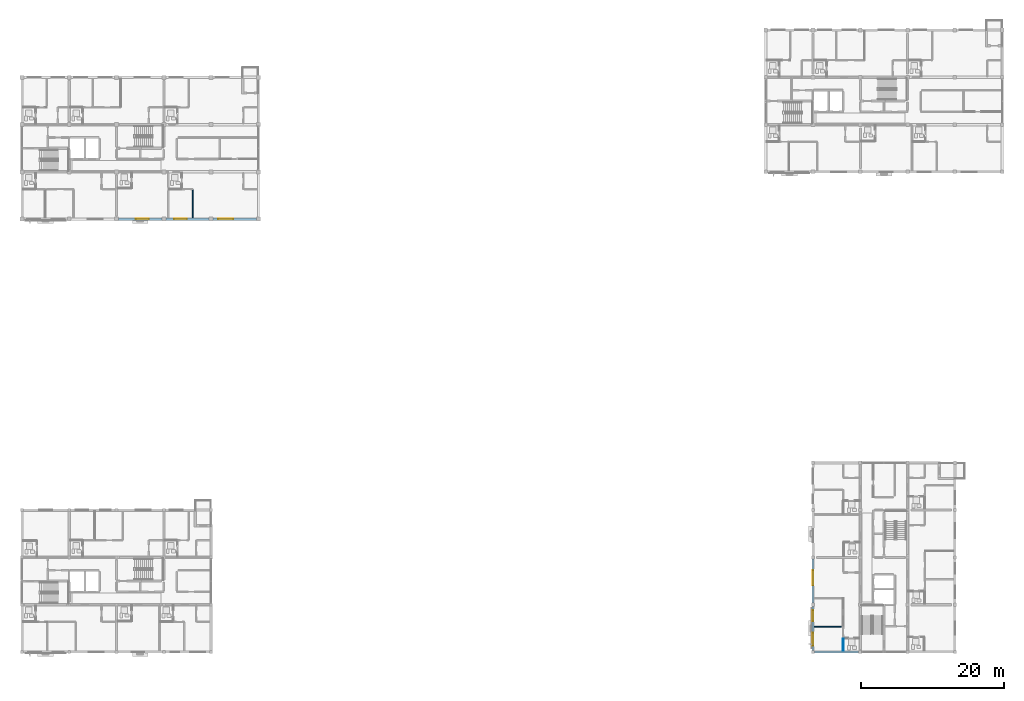
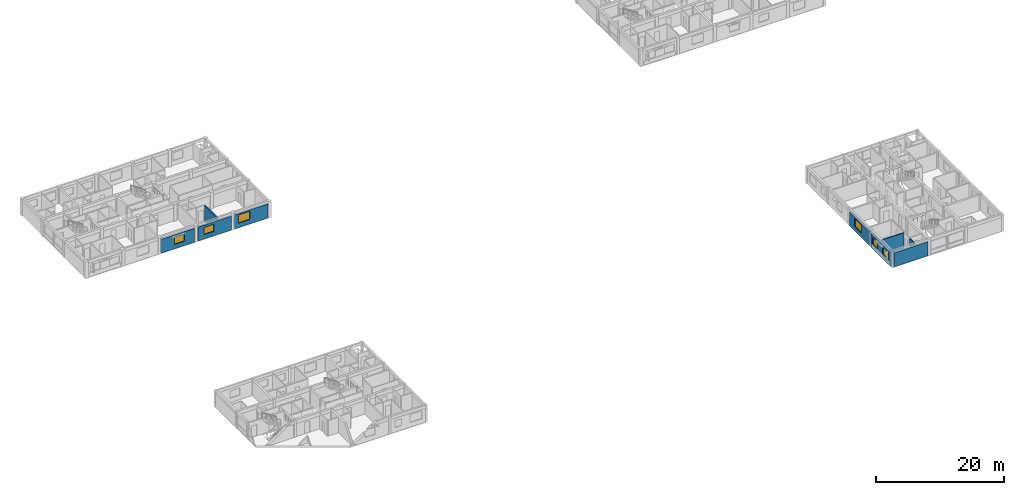
# One storey, part 30 of 53: 9 walls, 6 windows, 6 openings.
"""IFC4 building model written with IfcOpenShell, lengths in metres."""

from ifc_helpers import new_model, si_unit, direction, frame, frame_2d, origin, place, context, subcontext, project, spatial, rectangle, extrude, material, layer, layer_set, type_object, element, fill, save


model = new_model("IFC4")

# Units and contexts
model_context = context("Model", 3, precision=1e-05, world=origin(), true_north=direction((0.0, 1.0)))
body_context = subcontext(model_context, "Body", "Model", "MODEL_VIEW")
ifc_project = project(units=[si_unit("LENGTHUNIT", "METRE"), si_unit("AREAUNIT", "SQUARE_METRE"), si_unit("VOLUMEUNIT", "CUBIC_METRE"), si_unit("PLANEANGLEUNIT", "RADIAN"), si_unit("MASSUNIT", "GRAM", prefix="KILO")], contexts=[model_context])

# Site, building, storey
site_placement = place(None, origin())
site = spatial("IfcSite", under=ifc_project, at=site_placement, CompositionType="ELEMENT")
building_placement = place(site_placement, origin())
building = spatial("IfcBuilding", under=site, at=building_placement, Name="Kernevlak Ridge Housing Community", CompositionType="ELEMENT")
storey_placement = place(building_placement, frame((0.0, 0.0, 18.0)))
storey = spatial("IfcBuildingStorey", under=building, at=storey_placement, Name="L05", CompositionType="ELEMENT", Elevation=18.0)

# Wall, opening, window
ifc_material_1 = material(Name="Concrete block masonry M10", Category="masonry")
ifc_layer_1 = layer(ifc_material_1, 0.320068359375, Name="Concrete block masonry M10")
ifc_layer_set_1 = layer_set([ifc_layer_1], Name="Concrete block masonry M10")
wall_type_1 = type_object("IfcWallType", Name="EW-02", PredefinedType="STANDARD", material=ifc_layer_set_1)
wall_1_placement = place(storey_placement, frame((29.074951171875, 76.0, 0.0), z_axis=(0.0, 0.0, 1.0), x_axis=(1.0, 0.0, 0.0)))
wall_1 = element("IfcWall", 1, at=wall_1_placement, inside=storey, type_object=wall_type_1, Name="Exterior wall EW-02 L05 79", PredefinedType="STANDARD", context=body_context, shape_type="SweptSolid", body=[
    extrude(rectangle(XDim=6.050048828125, YDim=0.320068359375, at=frame_2d((3.02490234375, 0.0))), origin(), (0.0, 0.0, 1.0), 2.64990234375),
])
opening_1_placement = place(wall_1_placement, frame((2.425048828125, 0.0, 0.85009765625)))
opening_1 = element("IfcOpeningElement", 2, at=opening_1_placement, cuts=wall_1, Name="Opening WT-03", PredefinedType="OPENING", context=body_context, shape_type="SweptSolid", body=[
    extrude(rectangle(XDim=1.800048828125, YDim=1.35009765625, at=frame_2d((0.89990234375, 0.675048828125))), frame((0.0, 0.169921875, 0.0), z_axis=(0.0, -1.0, 0.0), x_axis=(1.0, 0.0, 0.0)), (0.0, 0.0, 1.0), 0.340087890625),
])
ifc_material_2 = material(Name="Aluminium EN AW-6060 anodised and laminated glass", Category="aluminium")
window_type_1 = type_object("IfcWindowType", Name="WT-03", PartitioningType="SINGLE_PANEL", PredefinedType="WINDOW", material=ifc_material_2)
window_1_placement = place(opening_1_placement, origin())
window_1 = element("IfcWindow", 3, at=window_1_placement, inside=storey, type_object=window_type_1, Name="Window WT-03 L05 60", OverallHeight=1.35009765625, OverallWidth=1.800048828125, PartitioningType="SINGLE_PANEL", PredefinedType="WINDOW", context=body_context, shape_type="SweptSolid", body=[
    extrude(rectangle(XDim=1.800048828125, YDim=1.35009765625, at=frame_2d((0.89990234375, 0.675048828125))), frame((0.0, 0.030029296875, 0.0), z_axis=(0.0, -1.0, 0.0), x_axis=(1.0, 0.0, 0.0)), (0.0, 0.0, 1.0), 0.06005859375),
])
fill(opening_1, window_1)

wall_2_placement = place(storey_placement, frame((35.675048828125, 76.0, 0.0), z_axis=(0.0, 0.0, 1.0), x_axis=(1.0, 0.0, 0.0)))
wall_2 = element("IfcWall", 4, at=wall_2_placement, inside=storey, type_object=wall_type_1, Name="Exterior wall EW-02 L05 80", PredefinedType="STANDARD", context=body_context, shape_type="SweptSolid", body=[
    extrude(rectangle(XDim=6.050048828125, YDim=0.320068359375, at=frame_2d((3.02490234375, 0.0))), origin(), (0.0, 0.0, 1.0), 2.64990234375),
])
opening_2_placement = place(wall_2_placement, frame((1.14990234375, 0.0, 0.85009765625)))
opening_2 = element("IfcOpeningElement", 5, at=opening_2_placement, cuts=wall_2, Name="Opening WT-03", PredefinedType="OPENING", context=body_context, shape_type="SweptSolid", body=[
    extrude(rectangle(XDim=1.800048828125, YDim=1.35009765625, at=frame_2d((0.89990234375, 0.675048828125))), frame((0.0, 0.169921875, 0.0), z_axis=(0.0, -1.0, 0.0), x_axis=(1.0, 0.0, 0.0)), (0.0, 0.0, 1.0), 0.340087890625),
])
window_2_placement = place(opening_2_placement, origin())
window_2 = element("IfcWindow", 6, at=window_2_placement, inside=storey, type_object=window_type_1, Name="Window WT-03 L05 61", OverallHeight=1.35009765625, OverallWidth=1.800048828125, PartitioningType="SINGLE_PANEL", PredefinedType="WINDOW", context=body_context, shape_type="SweptSolid", body=[
    extrude(rectangle(XDim=1.800048828125, YDim=1.35009765625, at=frame_2d((0.89990234375, 0.675048828125))), frame((0.0, 0.030029296875, 0.0), z_axis=(0.0, -1.0, 0.0), x_axis=(1.0, 0.0, 0.0)), (0.0, 0.0, 1.0), 0.06005859375),
])
fill(opening_2, window_2)

wall_3_placement = place(storey_placement, frame((42.27490234375, 76.0, 0.0), z_axis=(0.0, 0.0, 1.0), x_axis=(1.0, 0.0, 0.0)))
wall_3 = element("IfcWall", 7, at=wall_3_placement, inside=storey, type_object=wall_type_1, Name="Exterior wall EW-02 L05 81", PredefinedType="STANDARD", context=body_context, shape_type="SweptSolid", body=[
    extrude(rectangle(XDim=6.050048828125, YDim=0.320068359375, at=frame_2d((3.02490234375, 0.0))), origin(), (0.0, 0.0, 1.0), 2.64990234375),
])
opening_3_placement = place(wall_3_placement, frame((0.699951171875, 0.0, 0.85009765625)))
opening_3 = element("IfcOpeningElement", 8, at=opening_3_placement, cuts=wall_3, Name="Opening WT-05", PredefinedType="OPENING", context=body_context, shape_type="SweptSolid", body=[
    extrude(rectangle(XDim=2.10009765625, YDim=1.550048828125, at=frame_2d((1.050048828125, 0.77490234375))), frame((0.0, 0.169921875, 0.0), z_axis=(0.0, -1.0, 0.0), x_axis=(1.0, 0.0, 0.0)), (0.0, 0.0, 1.0), 0.340087890625),
])
window_type_2 = type_object("IfcWindowType", Name="WT-05", PartitioningType="SINGLE_PANEL", PredefinedType="WINDOW", material=ifc_material_2)
window_3_placement = place(opening_3_placement, origin())
window_3 = element("IfcWindow", 9, at=window_3_placement, inside=storey, type_object=window_type_2, Name="Window WT-05 L05 62", OverallHeight=1.550048828125, OverallWidth=2.10009765625, PartitioningType="SINGLE_PANEL", PredefinedType="WINDOW", context=body_context, shape_type="SweptSolid", body=[
    extrude(rectangle(XDim=2.10009765625, YDim=1.550048828125, at=frame_2d((1.050048828125, 0.77490234375))), frame((0.0, 0.030029296875, 0.0), z_axis=(0.0, -1.0, 0.0), x_axis=(1.0, 0.0, 0.0)), (0.0, 0.0, 1.0), 0.06005859375),
])
fill(opening_3, window_3)

# Wall, openings, windows
wall_4_placement = place(storey_placement, frame((126.0, 15.824951171875, 0.0), z_axis=(0.0, 0.0, 1.0), x_axis=(0.0, 1.0, 0.0)))
wall_4 = element("IfcWall", 10, at=wall_4_placement, inside=storey, type_object=wall_type_1, Name="Exterior wall EW-02 L05 600", PredefinedType="STANDARD", context=body_context, shape_type="SweptSolid", body=[
    extrude(rectangle(XDim=6.150146484375, YDim=0.320068359375, at=frame_2d((3.0751953125, 0.0))), origin(), (0.0, 0.0, 1.0), 2.64990234375),
])
opening_4_placement = place(wall_4_placement, frame((0.64990234375, 0.0, 0.85009765625)))
opening_4 = element("IfcOpeningElement", 11, at=opening_4_placement, cuts=wall_4, Name="Opening WT-03", PredefinedType="OPENING", context=body_context, shape_type="SweptSolid", body=[
    extrude(rectangle(XDim=1.800048828125, YDim=1.35009765625, at=frame_2d((0.89990234375, 0.675048828125))), frame((0.0, 0.169921875, 0.0), z_axis=(0.0, -1.0, 0.0), x_axis=(1.0, 0.0, 0.0)), (0.0, 0.0, 1.0), 0.340087890625),
])
opening_5_placement = place(wall_4_placement, frame((4.074951171875, 0.0, 0.85009765625)))
opening_5 = element("IfcOpeningElement", 12, at=opening_5_placement, cuts=wall_4, Name="Opening WT-02", PredefinedType="OPENING", context=body_context, shape_type="SweptSolid", body=[
    extrude(rectangle(XDim=1.5, YDim=1.35009765625, at=frame_2d((0.75, 0.675048828125))), frame((0.0, 0.169921875, 0.0), z_axis=(0.0, -1.0, 0.0), x_axis=(1.0, 0.0, 0.0)), (0.0, 0.0, 1.0), 0.340087890625),
])
window_type_3 = type_object("IfcWindowType", Name="WT-02", PartitioningType="SINGLE_PANEL", PredefinedType="WINDOW", material=ifc_material_2)
window_4_placement = place(opening_5_placement, origin())
window_4 = element("IfcWindow", 13, at=window_4_placement, inside=storey, type_object=window_type_3, Name="Window WT-02 L05 488", OverallHeight=1.35009765625, OverallWidth=1.5, PartitioningType="SINGLE_PANEL", PredefinedType="WINDOW", context=body_context, shape_type="SweptSolid", body=[
    extrude(rectangle(XDim=1.5, YDim=1.35009765625, at=frame_2d((0.75, 0.675048828125))), frame((0.0, 0.030029296875, 0.0), z_axis=(0.0, -1.0, 0.0), x_axis=(1.0, 0.0, 0.0)), (0.0, 0.0, 1.0), 0.06005859375),
])
fill(opening_5, window_4)
window_5_placement = place(opening_4_placement, origin())
window_5 = element("IfcWindow", 14, at=window_5_placement, inside=storey, type_object=window_type_1, Name="Window WT-03 L05 487", OverallHeight=1.35009765625, OverallWidth=1.800048828125, PartitioningType="SINGLE_PANEL", PredefinedType="WINDOW", context=body_context, shape_type="SweptSolid", body=[
    extrude(rectangle(XDim=1.800048828125, YDim=1.35009765625, at=frame_2d((0.89990234375, 0.675048828125))), frame((0.0, 0.030029296875, 0.0), z_axis=(0.0, -1.0, 0.0), x_axis=(1.0, 0.0, 0.0)), (0.0, 0.0, 1.0), 0.06005859375),
])
fill(opening_4, window_5)

# Wall, opening, window
wall_5_placement = place(storey_placement, frame((126.0, 22.425048828125, 0.0), z_axis=(0.0, 0.0, 1.0), x_axis=(0.0, 1.0, 0.0)))
wall_5 = element("IfcWall", 15, at=wall_5_placement, inside=storey, type_object=wall_type_1, Name="Exterior wall EW-02 L05 601", PredefinedType="STANDARD", context=body_context, shape_type="SweptSolid", body=[
    extrude(rectangle(XDim=6.14990234375, YDim=0.320068359375, at=frame_2d((3.074951171875, 0.0))), origin(), (0.0, 0.0, 1.0), 2.64990234375),
])
opening_6_placement = place(wall_5_placement, frame((2.470947265625, 0.0, 0.85009765625)))
opening_6 = element("IfcOpeningElement", 16, at=opening_6_placement, cuts=wall_5, Name="Opening WT-05", PredefinedType="OPENING", context=body_context, shape_type="SweptSolid", body=[
    extrude(rectangle(XDim=2.10009765625, YDim=1.550048828125, at=frame_2d((1.050048828125, 0.77490234375))), frame((0.0, 0.169921875, 0.0), z_axis=(0.0, -1.0, 0.0), x_axis=(1.0, 0.0, 0.0)), (0.0, 0.0, 1.0), 0.340087890625),
])
window_6_placement = place(opening_6_placement, origin())
window_6 = element("IfcWindow", 17, at=window_6_placement, inside=storey, type_object=window_type_2, Name="Window WT-05 L05 489", OverallHeight=1.550048828125, OverallWidth=2.10009765625, PartitioningType="SINGLE_PANEL", PredefinedType="WINDOW", context=body_context, shape_type="SweptSolid", body=[
    extrude(rectangle(XDim=2.10009765625, YDim=1.550048828125, at=frame_2d((1.050048828125, 0.77490234375))), frame((0.0, 0.030029296875, 0.0), z_axis=(0.0, -1.0, 0.0), x_axis=(1.0, 0.0, 0.0)), (0.0, 0.0, 1.0), 0.06005859375),
])
fill(opening_6, window_6)

# Walls
wall_6_placement = place(storey_placement, frame((126.22509765625, 15.60009765625, 0.0), z_axis=(0.0, 0.0, 1.0), x_axis=(1.0, 0.0, 0.0)))
element("IfcWall", 18, at=wall_6_placement, inside=storey, type_object=wall_type_1, Name="Exterior wall EW-02 L05 610", PredefinedType="STANDARD", context=body_context, shape_type="SweptSolid", body=[
    extrude(rectangle(XDim=6.14990234375, YDim=0.320068359375, at=frame_2d((3.074951171875, 0.0))), origin(), (0.0, 0.0, 1.0), 2.64990234375),
])
ifc_layer_2 = layer(ifc_material_1, 0.14501953125, Name="Concrete block masonry M10")
ifc_layer_set_2 = layer_set([ifc_layer_2], Name="Concrete block masonry M10")
wall_type_2 = type_object("IfcWallType", Name="PW-03", PredefinedType="PARTITIONING", material=ifc_layer_set_2)
for number, where, z_axis, x_axis, name in (
    (19, (39.449951171875, 80.117431640625, 0.0), (0.0, 0.0, 1.0), (0.0, -1.0, 0.0), "Interior wall PW-03 WAL-INT-L05-0349"),
    (20, (130.117431640625, 19.14990234375, 0.0), (0.0, 0.0, 1.0), (-1.0, 0.0, 0.0), "Interior wall PW-03 WAL-INT-L05-2455"),
):
    element("IfcWall", number, at=place(storey_placement, frame(where, z_axis=z_axis, x_axis=x_axis)), inside=storey, type_object=wall_type_2, Name=name, PredefinedType="PARTITIONING", context=body_context, shape_type="SweptSolid", body=[
        extrude(rectangle(XDim=3.947509765625, YDim=0.14501953125, at=frame_2d((1.9736328125, 0.0))), origin(), (0.0, 0.0, 1.0), 2.9599609375),
    ])
ifc_material_3 = material(Name="Gypsum plasterboard EN 520", Category="gypsum")
ifc_layer_3 = layer(ifc_material_3, 0.125, Name="Gypsum plasterboard EN 520")
ifc_layer_set_3 = layer_set([ifc_layer_3], Name="Gypsum plasterboard EN 520")
wall_type_3 = type_object("IfcWallType", Name="PW-04", PredefinedType="PARTITIONING", material=ifc_layer_set_3)
wall_7_placement = place(storey_placement, frame((130.199951171875, 15.77001953125, 0.0), z_axis=(0.0, 0.0, 1.0), x_axis=(0.0, 1.0, 0.0)))
element("IfcWall", 21, at=wall_7_placement, inside=storey, type_object=wall_type_3, Name="Interior wall PW-04 WAL-INT-L05-2451", PredefinedType="PARTITIONING", context=body_context, shape_type="SweptSolid", body=[
    extrude(rectangle(XDim=1.64990234375, YDim=0.125, at=frame_2d((0.824951171875, 0.0))), origin(), (0.0, 0.0, 1.0), 2.9599609375),
])

save(model, "model.ifc")
